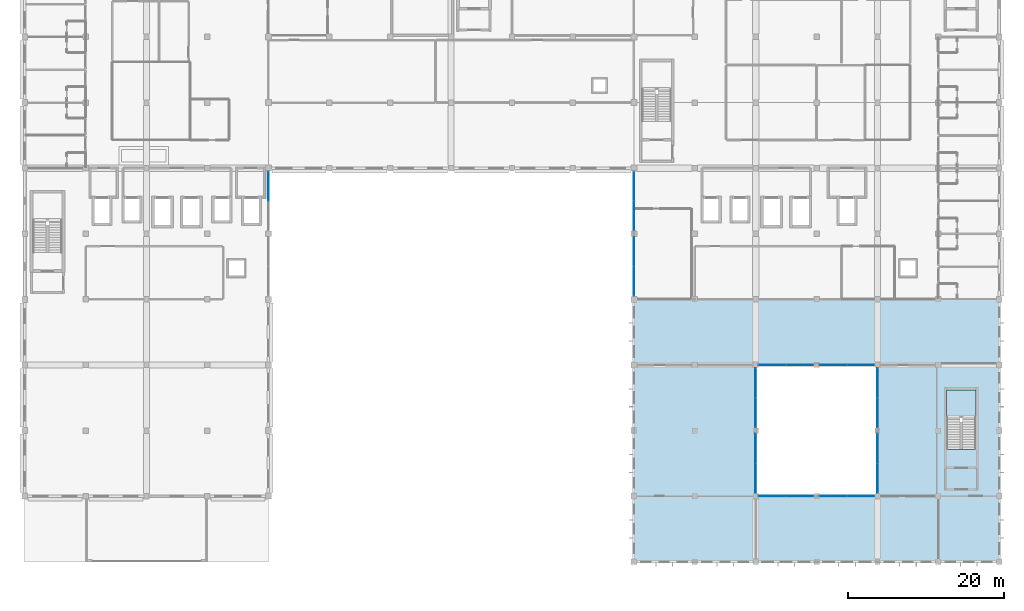
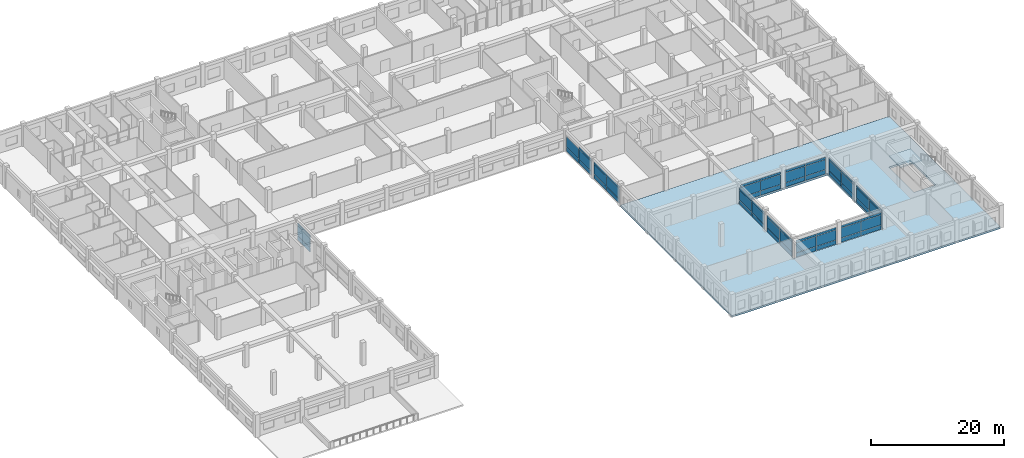
# One storey, part 25 of 53: 62 plates, 2 slabs, 12 elements without a shape of their own.
"""IFC4 building model written with IfcOpenShell, lengths in metres."""

from ifc_helpers import new_model, si_unit, direction, frame, origin, origin_2d, place, context, subcontext, project, spatial, polyline, rectangle, outline, extrude, material, layer, layer_set, type_object, element, aggregate, save


model = new_model("IFC4")

# Units and contexts
model_context = context("Model", 3, precision=1e-05, world=origin(), true_north=direction((0.0, 1.0)))
body_context = subcontext(model_context, "Body", "Model", "MODEL_VIEW")
ifc_project = project(units=[si_unit("LENGTHUNIT", "METRE"), si_unit("AREAUNIT", "SQUARE_METRE"), si_unit("VOLUMEUNIT", "CUBIC_METRE"), si_unit("PLANEANGLEUNIT", "RADIAN"), si_unit("MASSUNIT", "GRAM", prefix="KILO"), si_unit("THERMODYNAMICTEMPERATUREUNIT", "KELVIN"), si_unit("POWERUNIT", "WATT")], contexts=[model_context])

# Site, building, storey
site_placement = place(None, origin())
site = spatial("IfcSite", under=ifc_project, at=site_placement, CompositionType="ELEMENT")
building_placement = place(site_placement, origin())
building = spatial("IfcBuilding", under=site, at=building_placement, Name="Srebrne Nadtorze General Hospital", CompositionType="ELEMENT")
storey_placement = place(building_placement, frame((0.0, 0.0, 18.0)))
storey = spatial("IfcBuildingStorey", under=building, at=storey_placement, Name="L04", CompositionType="ELEMENT", Elevation=18.0)

# Curtain wall, plates
ifc_material_1 = material(Name="Anodised Aluminium", Category="aluminium")
curtain_wall_type_1 = type_object("IfcCurtainWallType", Name="Unitised curtain wall 7100x3235", PredefinedType="NOTDEFINED", material=ifc_material_1)
curtain_wall_1_placement = place(storey_placement, origin())
curtain_wall_1 = element("IfcCurtainWall", 1, at=curtain_wall_1_placement, inside=storey, type_object=curtain_wall_type_1, Name="Curtain wall CW-102", PredefinedType="NOTDEFINED")
ifc_material_2 = material(Name="Triple Low-E Glazing", Category="glass")
ifc_layer_1 = layer(ifc_material_2, 0.050048828125)
ifc_layer_set_1 = layer_set([ifc_layer_1], Name="Triple Low-E Glazing")
plate_type = type_object("IfcPlateType", Name="Glazed curtain panel 50", PredefinedType="CURTAIN_PANEL", material=ifc_layer_set_1)
plate_1_placement = place(storey_placement, frame((119.139892578125, 8.39990234375, 0.06005859375), z_axis=(0.0, 0.0, 1.0), x_axis=(1.0, 0.0, 0.0)))
plate_1 = element("IfcPlate", 2, at=plate_1_placement, type_object=plate_type, Name="CW-102 panel 1.1", PredefinedType="CURTAIN_PANEL", context=body_context, shape_type="SweptSolid", body=[
    extrude(rectangle(XDim=3.4599609375, YDim=0.050048828125, at=origin_2d()), origin(), (0.0, 0.0, 1.0), 0.760009765625),
])
plate_2_placement = place(storey_placement, frame((119.139892578125, 8.39990234375, 0.8798828125), z_axis=(0.0, 0.0, 1.0), x_axis=(1.0, 0.0, 0.0)))
plate_2 = element("IfcPlate", 3, at=plate_2_placement, type_object=plate_type, Name="CW-102 panel 1.2", PredefinedType="CURTAIN_PANEL", context=body_context, shape_type="SweptSolid", body=[
    extrude(rectangle(XDim=3.4599609375, YDim=0.050048828125, at=origin_2d()), origin(), (0.0, 0.0, 1.0), 1.824951171875),
])
plate_3_placement = place(storey_placement, frame((119.139892578125, 8.39990234375, 2.76513671875), z_axis=(0.0, 0.0, 1.0), x_axis=(1.0, 0.0, 0.0)))
plate_3 = element("IfcPlate", 4, at=plate_3_placement, type_object=plate_type, Name="CW-102 panel 1.3", PredefinedType="CURTAIN_PANEL", context=body_context, shape_type="SweptSolid", body=[
    extrude(rectangle(XDim=3.4599609375, YDim=0.050048828125, at=origin_2d()), origin(), (0.0, 0.0, 1.0), 0.409912109375),
])
plate_4_placement = place(storey_placement, frame((122.659912109375, 8.39990234375, 0.06005859375), z_axis=(0.0, 0.0, 1.0), x_axis=(1.0, 0.0, 0.0)))
plate_4 = element("IfcPlate", 5, at=plate_4_placement, type_object=plate_type, Name="CW-102 panel 2.1", PredefinedType="CURTAIN_PANEL", context=body_context, shape_type="SweptSolid", body=[
    extrude(rectangle(XDim=3.4599609375, YDim=0.050048828125, at=origin_2d()), origin(), (0.0, 0.0, 1.0), 0.760009765625),
])
plate_5_placement = place(storey_placement, frame((122.659912109375, 8.39990234375, 0.8798828125), z_axis=(0.0, 0.0, 1.0), x_axis=(1.0, 0.0, 0.0)))
plate_5 = element("IfcPlate", 6, at=plate_5_placement, type_object=plate_type, Name="CW-102 panel 2.2", PredefinedType="CURTAIN_PANEL", context=body_context, shape_type="SweptSolid", body=[
    extrude(rectangle(XDim=3.4599609375, YDim=0.050048828125, at=origin_2d()), origin(), (0.0, 0.0, 1.0), 1.824951171875),
])
plate_6_placement = place(storey_placement, frame((122.659912109375, 8.39990234375, 2.76513671875), z_axis=(0.0, 0.0, 1.0), x_axis=(1.0, 0.0, 0.0)))
plate_6 = element("IfcPlate", 7, at=plate_6_placement, type_object=plate_type, Name="CW-102 panel 2.3", PredefinedType="CURTAIN_PANEL", context=body_context, shape_type="SweptSolid", body=[
    extrude(rectangle(XDim=3.4599609375, YDim=0.050048828125, at=origin_2d()), origin(), (0.0, 0.0, 1.0), 0.409912109375),
])
aggregate(curtain_wall_1, [plate_1, plate_2, plate_3, plate_4, plate_5, plate_6])

curtain_wall_2_placement = place(storey_placement, origin())
curtain_wall_2 = element("IfcCurtainWall", 8, at=curtain_wall_2_placement, inside=storey, type_object=curtain_wall_type_1, Name="Curtain wall CW-103", PredefinedType="NOTDEFINED")
plate_7_placement = place(storey_placement, frame((126.941162109375, 8.39990234375, 0.06494140625), z_axis=(0.0, 0.0, 1.0), x_axis=(1.0, 0.0, 0.0)))
plate_7 = element("IfcPlate", 9, at=plate_7_placement, type_object=plate_type, Name="CW-103 panel 1.1", PredefinedType="CURTAIN_PANEL", context=body_context, shape_type="SweptSolid", body=[
    extrude(rectangle(XDim=3.452392578125, YDim=0.050048828125, at=origin_2d()), origin(), (0.0, 0.0, 1.0), 0.75244140625),
])
plate_8_placement = place(storey_placement, frame((126.941162109375, 8.39990234375, 0.88232421875), z_axis=(0.0, 0.0, 1.0), x_axis=(1.0, 0.0, 0.0)))
plate_8 = element("IfcPlate", 10, at=plate_8_placement, type_object=plate_type, Name="CW-103 panel 1.2", PredefinedType="CURTAIN_PANEL", context=body_context, shape_type="SweptSolid", body=[
    extrude(rectangle(XDim=3.452392578125, YDim=0.050048828125, at=origin_2d()), origin(), (0.0, 0.0, 1.0), 1.820068359375),
])
plate_9_placement = place(storey_placement, frame((126.941162109375, 8.39990234375, 2.767578125), z_axis=(0.0, 0.0, 1.0), x_axis=(1.0, 0.0, 0.0)))
plate_9 = element("IfcPlate", 11, at=plate_9_placement, type_object=plate_type, Name="CW-103 panel 1.3", PredefinedType="CURTAIN_PANEL", context=body_context, shape_type="SweptSolid", body=[
    extrude(rectangle(XDim=3.452392578125, YDim=0.050048828125, at=origin_2d()), origin(), (0.0, 0.0, 1.0), 0.402587890625),
])
plate_10_placement = place(storey_placement, frame((130.458740234375, 8.39990234375, 0.06494140625), z_axis=(0.0, 0.0, 1.0), x_axis=(1.0, 0.0, 0.0)))
plate_10 = element("IfcPlate", 12, at=plate_10_placement, type_object=plate_type, Name="CW-103 panel 2.1", PredefinedType="CURTAIN_PANEL", context=body_context, shape_type="SweptSolid", body=[
    extrude(rectangle(XDim=3.452392578125, YDim=0.050048828125, at=origin_2d()), origin(), (0.0, 0.0, 1.0), 0.75244140625),
])
plate_11_placement = place(storey_placement, frame((130.458740234375, 8.39990234375, 0.88232421875), z_axis=(0.0, 0.0, 1.0), x_axis=(1.0, 0.0, 0.0)))
plate_11 = element("IfcPlate", 13, at=plate_11_placement, type_object=plate_type, Name="CW-103 panel 2.2", PredefinedType="CURTAIN_PANEL", context=body_context, shape_type="SweptSolid", body=[
    extrude(rectangle(XDim=3.452392578125, YDim=0.050048828125, at=origin_2d()), origin(), (0.0, 0.0, 1.0), 1.820068359375),
])
plate_12_placement = place(storey_placement, frame((130.458740234375, 8.39990234375, 2.767578125), z_axis=(0.0, 0.0, 1.0), x_axis=(1.0, 0.0, 0.0)))
plate_12 = element("IfcPlate", 14, at=plate_12_placement, type_object=plate_type, Name="CW-103 panel 2.3", PredefinedType="CURTAIN_PANEL", context=body_context, shape_type="SweptSolid", body=[
    extrude(rectangle(XDim=3.452392578125, YDim=0.050048828125, at=origin_2d()), origin(), (0.0, 0.0, 1.0), 0.402587890625),
])
aggregate(curtain_wall_2, [plate_7, plate_8, plate_9, plate_10, plate_11, plate_12])

curtain_wall_3_placement = place(storey_placement, origin())
curtain_wall_3 = element("IfcCurtainWall", 15, at=curtain_wall_3_placement, inside=storey, type_object=curtain_wall_type_1, Name="Curtain wall CW-104", PredefinedType="NOTDEFINED")
plate_13_placement = place(storey_placement, frame((119.139892578125, 25.199951171875, 0.06005859375), z_axis=(0.0, 0.0, 1.0), x_axis=(1.0, 0.0, 0.0)))
plate_13 = element("IfcPlate", 16, at=plate_13_placement, type_object=plate_type, Name="CW-104 panel 1.1", PredefinedType="CURTAIN_PANEL", context=body_context, shape_type="SweptSolid", body=[
    extrude(rectangle(XDim=3.4599609375, YDim=0.050048828125, at=origin_2d()), origin(), (0.0, 0.0, 1.0), 0.760009765625),
])
plate_14_placement = place(storey_placement, frame((119.139892578125, 25.199951171875, 0.8798828125), z_axis=(0.0, 0.0, 1.0), x_axis=(1.0, 0.0, 0.0)))
plate_14 = element("IfcPlate", 17, at=plate_14_placement, type_object=plate_type, Name="CW-104 panel 1.2", PredefinedType="CURTAIN_PANEL", context=body_context, shape_type="SweptSolid", body=[
    extrude(rectangle(XDim=3.4599609375, YDim=0.050048828125, at=origin_2d()), origin(), (0.0, 0.0, 1.0), 1.824951171875),
])
plate_15_placement = place(storey_placement, frame((119.139892578125, 25.199951171875, 2.76513671875), z_axis=(0.0, 0.0, 1.0), x_axis=(1.0, 0.0, 0.0)))
plate_15 = element("IfcPlate", 18, at=plate_15_placement, type_object=plate_type, Name="CW-104 panel 1.3", PredefinedType="CURTAIN_PANEL", context=body_context, shape_type="SweptSolid", body=[
    extrude(rectangle(XDim=3.4599609375, YDim=0.050048828125, at=origin_2d()), origin(), (0.0, 0.0, 1.0), 0.409912109375),
])
plate_16_placement = place(storey_placement, frame((122.659912109375, 25.199951171875, 0.06005859375), z_axis=(0.0, 0.0, 1.0), x_axis=(1.0, 0.0, 0.0)))
plate_16 = element("IfcPlate", 19, at=plate_16_placement, type_object=plate_type, Name="CW-104 panel 2.1", PredefinedType="CURTAIN_PANEL", context=body_context, shape_type="SweptSolid", body=[
    extrude(rectangle(XDim=3.4599609375, YDim=0.050048828125, at=origin_2d()), origin(), (0.0, 0.0, 1.0), 0.760009765625),
])
plate_17_placement = place(storey_placement, frame((122.659912109375, 25.199951171875, 0.8798828125), z_axis=(0.0, 0.0, 1.0), x_axis=(1.0, 0.0, 0.0)))
plate_17 = element("IfcPlate", 20, at=plate_17_placement, type_object=plate_type, Name="CW-104 panel 2.2", PredefinedType="CURTAIN_PANEL", context=body_context, shape_type="SweptSolid", body=[
    extrude(rectangle(XDim=3.4599609375, YDim=0.050048828125, at=origin_2d()), origin(), (0.0, 0.0, 1.0), 1.824951171875),
])
plate_18_placement = place(storey_placement, frame((122.659912109375, 25.199951171875, 2.76513671875), z_axis=(0.0, 0.0, 1.0), x_axis=(1.0, 0.0, 0.0)))
plate_18 = element("IfcPlate", 21, at=plate_18_placement, type_object=plate_type, Name="CW-104 panel 2.3", PredefinedType="CURTAIN_PANEL", context=body_context, shape_type="SweptSolid", body=[
    extrude(rectangle(XDim=3.4599609375, YDim=0.050048828125, at=origin_2d()), origin(), (0.0, 0.0, 1.0), 0.409912109375),
])
aggregate(curtain_wall_3, [plate_13, plate_14, plate_15, plate_16, plate_17, plate_18])

curtain_wall_4_placement = place(storey_placement, origin())
curtain_wall_4 = element("IfcCurtainWall", 22, at=curtain_wall_4_placement, inside=storey, type_object=curtain_wall_type_1, Name="Curtain wall CW-105", PredefinedType="NOTDEFINED")
plate_19_placement = place(storey_placement, frame((126.941162109375, 25.199951171875, 0.06494140625), z_axis=(0.0, 0.0, 1.0), x_axis=(1.0, 0.0, 0.0)))
plate_19 = element("IfcPlate", 23, at=plate_19_placement, type_object=plate_type, Name="CW-105 panel 1.1", PredefinedType="CURTAIN_PANEL", context=body_context, shape_type="SweptSolid", body=[
    extrude(rectangle(XDim=3.452392578125, YDim=0.050048828125, at=origin_2d()), origin(), (0.0, 0.0, 1.0), 0.75244140625),
])
plate_20_placement = place(storey_placement, frame((126.941162109375, 25.199951171875, 0.88232421875), z_axis=(0.0, 0.0, 1.0), x_axis=(1.0, 0.0, 0.0)))
plate_20 = element("IfcPlate", 24, at=plate_20_placement, type_object=plate_type, Name="CW-105 panel 1.2", PredefinedType="CURTAIN_PANEL", context=body_context, shape_type="SweptSolid", body=[
    extrude(rectangle(XDim=3.452392578125, YDim=0.050048828125, at=origin_2d()), origin(), (0.0, 0.0, 1.0), 1.820068359375),
])
plate_21_placement = place(storey_placement, frame((126.941162109375, 25.199951171875, 2.767578125), z_axis=(0.0, 0.0, 1.0), x_axis=(1.0, 0.0, 0.0)))
plate_21 = element("IfcPlate", 25, at=plate_21_placement, type_object=plate_type, Name="CW-105 panel 1.3", PredefinedType="CURTAIN_PANEL", context=body_context, shape_type="SweptSolid", body=[
    extrude(rectangle(XDim=3.452392578125, YDim=0.050048828125, at=origin_2d()), origin(), (0.0, 0.0, 1.0), 0.402587890625),
])
plate_22_placement = place(storey_placement, frame((130.458740234375, 25.199951171875, 0.06494140625), z_axis=(0.0, 0.0, 1.0), x_axis=(1.0, 0.0, 0.0)))
plate_22 = element("IfcPlate", 26, at=plate_22_placement, type_object=plate_type, Name="CW-105 panel 2.1", PredefinedType="CURTAIN_PANEL", context=body_context, shape_type="SweptSolid", body=[
    extrude(rectangle(XDim=3.452392578125, YDim=0.050048828125, at=origin_2d()), origin(), (0.0, 0.0, 1.0), 0.75244140625),
])
plate_23_placement = place(storey_placement, frame((130.458740234375, 25.199951171875, 0.88232421875), z_axis=(0.0, 0.0, 1.0), x_axis=(1.0, 0.0, 0.0)))
plate_23 = element("IfcPlate", 27, at=plate_23_placement, type_object=plate_type, Name="CW-105 panel 2.2", PredefinedType="CURTAIN_PANEL", context=body_context, shape_type="SweptSolid", body=[
    extrude(rectangle(XDim=3.452392578125, YDim=0.050048828125, at=origin_2d()), origin(), (0.0, 0.0, 1.0), 1.820068359375),
])
plate_24_placement = place(storey_placement, frame((130.458740234375, 25.199951171875, 2.767578125), z_axis=(0.0, 0.0, 1.0), x_axis=(1.0, 0.0, 0.0)))
plate_24 = element("IfcPlate", 28, at=plate_24_placement, type_object=plate_type, Name="CW-105 panel 2.3", PredefinedType="CURTAIN_PANEL", context=body_context, shape_type="SweptSolid", body=[
    extrude(rectangle(XDim=3.452392578125, YDim=0.050048828125, at=origin_2d()), origin(), (0.0, 0.0, 1.0), 0.402587890625),
])
aggregate(curtain_wall_4, [plate_19, plate_20, plate_21, plate_22, plate_23, plate_24])

ifc_material_3 = material(Name="Anodised Aluminium", Category="aluminium")
curtain_wall_type_2 = type_object("IfcCurtainWallType", Name="Unitised curtain wall 7650x3235", PredefinedType="NOTDEFINED", material=ifc_material_3)
curtain_wall_5_placement = place(storey_placement, origin())
curtain_wall_5 = element("IfcCurtainWall", 29, at=curtain_wall_5_placement, inside=storey, type_object=curtain_wall_type_2, Name="Curtain wall CW-107", PredefinedType="NOTDEFINED")
plate_25_placement = place(storey_placement, frame((54.60009765625, 48.09619140625, 0.06494140625), z_axis=(0.0, 0.0, 1.0), x_axis=(0.0, 1.0, 0.0)))
plate_25 = element("IfcPlate", 30, at=plate_25_placement, type_object=plate_type, Name="CW-107 panel 2.1", PredefinedType="CURTAIN_PANEL", context=body_context, shape_type="SweptSolid", body=[
    extrude(rectangle(XDim=3.7275390625, YDim=0.050048828125, at=origin_2d()), origin(), (0.0, 0.0, 1.0), 0.75244140625),
])
plate_26_placement = place(storey_placement, frame((54.60009765625, 48.09619140625, 0.88232421875), z_axis=(0.0, 0.0, 1.0), x_axis=(0.0, 1.0, 0.0)))
plate_26 = element("IfcPlate", 31, at=plate_26_placement, type_object=plate_type, Name="CW-107 panel 2.2", PredefinedType="CURTAIN_PANEL", context=body_context, shape_type="SweptSolid", body=[
    extrude(rectangle(XDim=3.7275390625, YDim=0.050048828125, at=origin_2d()), origin(), (0.0, 0.0, 1.0), 1.820068359375),
])
plate_27_placement = place(storey_placement, frame((54.60009765625, 48.09619140625, 2.767578125), z_axis=(0.0, 0.0, 1.0), x_axis=(0.0, 1.0, 0.0)))
plate_27 = element("IfcPlate", 32, at=plate_27_placement, type_object=plate_type, Name="CW-107 panel 2.3", PredefinedType="CURTAIN_PANEL", context=body_context, shape_type="SweptSolid", body=[
    extrude(rectangle(XDim=3.7275390625, YDim=0.050048828125, at=origin_2d()), origin(), (0.0, 0.0, 1.0), 0.402587890625),
])
aggregate(curtain_wall_5, [plate_25, plate_26, plate_27])

curtain_wall_6_placement = place(storey_placement, origin())
curtain_wall_6 = element("IfcCurtainWall", 33, at=curtain_wall_6_placement, inside=storey, type_object=curtain_wall_type_2, Name="Curtain wall CW-108", PredefinedType="NOTDEFINED")
plate_28_placement = place(storey_placement, frame((101.39990234375, 35.902587890625, 0.06005859375), z_axis=(0.0, 0.0, 1.0), x_axis=(0.0, 1.0, 0.0)))
plate_28 = element("IfcPlate", 34, at=plate_28_placement, type_object=plate_type, Name="CW-108 panel 1.1", PredefinedType="CURTAIN_PANEL", context=body_context, shape_type="SweptSolid", body=[
    extrude(rectangle(XDim=3.735107421875, YDim=0.050048828125, at=origin_2d()), origin(), (0.0, 0.0, 1.0), 0.760009765625),
])
plate_29_placement = place(storey_placement, frame((101.39990234375, 35.902587890625, 0.8798828125), z_axis=(0.0, 0.0, 1.0), x_axis=(0.0, 1.0, 0.0)))
plate_29 = element("IfcPlate", 35, at=plate_29_placement, type_object=plate_type, Name="CW-108 panel 1.2", PredefinedType="CURTAIN_PANEL", context=body_context, shape_type="SweptSolid", body=[
    extrude(rectangle(XDim=3.735107421875, YDim=0.050048828125, at=origin_2d()), origin(), (0.0, 0.0, 1.0), 1.824951171875),
])
plate_30_placement = place(storey_placement, frame((101.39990234375, 35.902587890625, 2.76513671875), z_axis=(0.0, 0.0, 1.0), x_axis=(0.0, 1.0, 0.0)))
plate_30 = element("IfcPlate", 36, at=plate_30_placement, type_object=plate_type, Name="CW-108 panel 1.3", PredefinedType="CURTAIN_PANEL", context=body_context, shape_type="SweptSolid", body=[
    extrude(rectangle(XDim=3.735107421875, YDim=0.050048828125, at=origin_2d()), origin(), (0.0, 0.0, 1.0), 0.409912109375),
])
plate_31_placement = place(storey_placement, frame((101.39990234375, 39.697509765625, 0.06005859375), z_axis=(0.0, 0.0, 1.0), x_axis=(0.0, 1.0, 0.0)))
plate_31 = element("IfcPlate", 37, at=plate_31_placement, type_object=plate_type, Name="CW-108 panel 2.1", PredefinedType="CURTAIN_PANEL", context=body_context, shape_type="SweptSolid", body=[
    extrude(rectangle(XDim=3.735107421875, YDim=0.050048828125, at=origin_2d()), origin(), (0.0, 0.0, 1.0), 0.760009765625),
])
plate_32_placement = place(storey_placement, frame((101.39990234375, 39.697509765625, 0.8798828125), z_axis=(0.0, 0.0, 1.0), x_axis=(0.0, 1.0, 0.0)))
plate_32 = element("IfcPlate", 38, at=plate_32_placement, type_object=plate_type, Name="CW-108 panel 2.2", PredefinedType="CURTAIN_PANEL", context=body_context, shape_type="SweptSolid", body=[
    extrude(rectangle(XDim=3.735107421875, YDim=0.050048828125, at=origin_2d()), origin(), (0.0, 0.0, 1.0), 1.824951171875),
])
plate_33_placement = place(storey_placement, frame((101.39990234375, 39.697509765625, 2.76513671875), z_axis=(0.0, 0.0, 1.0), x_axis=(0.0, 1.0, 0.0)))
plate_33 = element("IfcPlate", 39, at=plate_33_placement, type_object=plate_type, Name="CW-108 panel 2.3", PredefinedType="CURTAIN_PANEL", context=body_context, shape_type="SweptSolid", body=[
    extrude(rectangle(XDim=3.735107421875, YDim=0.050048828125, at=origin_2d()), origin(), (0.0, 0.0, 1.0), 0.409912109375),
])
aggregate(curtain_wall_6, [plate_28, plate_29, plate_30, plate_31, plate_32, plate_33])

curtain_wall_7_placement = place(storey_placement, origin())
curtain_wall_7 = element("IfcCurtainWall", 40, at=curtain_wall_7_placement, inside=storey, type_object=curtain_wall_type_2, Name="Curtain wall CW-109", PredefinedType="NOTDEFINED")
plate_34_placement = place(storey_placement, frame((101.39990234375, 44.3037109375, 0.06494140625), z_axis=(0.0, 0.0, 1.0), x_axis=(0.0, 1.0, 0.0)))
plate_34 = element("IfcPlate", 41, at=plate_34_placement, type_object=plate_type, Name="CW-109 panel 1.1", PredefinedType="CURTAIN_PANEL", context=body_context, shape_type="SweptSolid", body=[
    extrude(rectangle(XDim=3.7275390625, YDim=0.050048828125, at=origin_2d()), origin(), (0.0, 0.0, 1.0), 0.75244140625),
])
plate_35_placement = place(storey_placement, frame((101.39990234375, 44.3037109375, 0.88232421875), z_axis=(0.0, 0.0, 1.0), x_axis=(0.0, 1.0, 0.0)))
plate_35 = element("IfcPlate", 42, at=plate_35_placement, type_object=plate_type, Name="CW-109 panel 1.2", PredefinedType="CURTAIN_PANEL", context=body_context, shape_type="SweptSolid", body=[
    extrude(rectangle(XDim=3.7275390625, YDim=0.050048828125, at=origin_2d()), origin(), (0.0, 0.0, 1.0), 1.820068359375),
])
plate_36_placement = place(storey_placement, frame((101.39990234375, 44.3037109375, 2.767578125), z_axis=(0.0, 0.0, 1.0), x_axis=(0.0, 1.0, 0.0)))
plate_36 = element("IfcPlate", 43, at=plate_36_placement, type_object=plate_type, Name="CW-109 panel 1.3", PredefinedType="CURTAIN_PANEL", context=body_context, shape_type="SweptSolid", body=[
    extrude(rectangle(XDim=3.7275390625, YDim=0.050048828125, at=origin_2d()), origin(), (0.0, 0.0, 1.0), 0.402587890625),
])
plate_37_placement = place(storey_placement, frame((101.39990234375, 48.09619140625, 0.06494140625), z_axis=(0.0, 0.0, 1.0), x_axis=(0.0, 1.0, 0.0)))
plate_37 = element("IfcPlate", 44, at=plate_37_placement, type_object=plate_type, Name="CW-109 panel 2.1", PredefinedType="CURTAIN_PANEL", context=body_context, shape_type="SweptSolid", body=[
    extrude(rectangle(XDim=3.7275390625, YDim=0.050048828125, at=origin_2d()), origin(), (0.0, 0.0, 1.0), 0.75244140625),
])
plate_38_placement = place(storey_placement, frame((101.39990234375, 48.09619140625, 0.88232421875), z_axis=(0.0, 0.0, 1.0), x_axis=(0.0, 1.0, 0.0)))
plate_38 = element("IfcPlate", 45, at=plate_38_placement, type_object=plate_type, Name="CW-109 panel 2.2", PredefinedType="CURTAIN_PANEL", context=body_context, shape_type="SweptSolid", body=[
    extrude(rectangle(XDim=3.7275390625, YDim=0.050048828125, at=origin_2d()), origin(), (0.0, 0.0, 1.0), 1.820068359375),
])
aggregate(curtain_wall_7, [plate_34, plate_35, plate_36, plate_37, plate_38])

ifc_material_4 = material(Name="Anodised Aluminium", Category="aluminium")
curtain_wall_type_3 = type_object("IfcCurtainWallType", Name="Unitised curtain wall 7700x3235", PredefinedType="NOTDEFINED", material=ifc_material_4)
curtain_wall_8_placement = place(storey_placement, origin())
curtain_wall_8 = element("IfcCurtainWall", 46, at=curtain_wall_8_placement, inside=storey, type_object=curtain_wall_type_3, Name="Curtain wall CW-110", PredefinedType="NOTDEFINED")
plate_39_placement = place(storey_placement, frame((117.0, 10.68994140625, 0.06005859375), z_axis=(0.0, 0.0, 1.0), x_axis=(0.0, 1.0, 0.0)))
plate_39 = element("IfcPlate", 47, at=plate_39_placement, type_object=plate_type, Name="CW-110 panel 1.1", PredefinedType="CURTAIN_PANEL", context=body_context, shape_type="SweptSolid", body=[
    extrude(rectangle(XDim=3.760009765625, YDim=0.050048828125, at=origin_2d()), origin(), (0.0, 0.0, 1.0), 0.760009765625),
])
plate_40_placement = place(storey_placement, frame((117.0, 10.68994140625, 0.8798828125), z_axis=(0.0, 0.0, 1.0), x_axis=(0.0, 1.0, 0.0)))
plate_40 = element("IfcPlate", 48, at=plate_40_placement, type_object=plate_type, Name="CW-110 panel 1.2", PredefinedType="CURTAIN_PANEL", context=body_context, shape_type="SweptSolid", body=[
    extrude(rectangle(XDim=3.760009765625, YDim=0.050048828125, at=origin_2d()), origin(), (0.0, 0.0, 1.0), 1.824951171875),
])
plate_41_placement = place(storey_placement, frame((117.0, 10.68994140625, 2.76513671875), z_axis=(0.0, 0.0, 1.0), x_axis=(0.0, 1.0, 0.0)))
plate_41 = element("IfcPlate", 49, at=plate_41_placement, type_object=plate_type, Name="CW-110 panel 1.3", PredefinedType="CURTAIN_PANEL", context=body_context, shape_type="SweptSolid", body=[
    extrude(rectangle(XDim=3.760009765625, YDim=0.050048828125, at=origin_2d()), origin(), (0.0, 0.0, 1.0), 0.409912109375),
])
plate_42_placement = place(storey_placement, frame((117.0, 14.510009765625, 0.06005859375), z_axis=(0.0, 0.0, 1.0), x_axis=(0.0, 1.0, 0.0)))
plate_42 = element("IfcPlate", 50, at=plate_42_placement, type_object=plate_type, Name="CW-110 panel 2.1", PredefinedType="CURTAIN_PANEL", context=body_context, shape_type="SweptSolid", body=[
    extrude(rectangle(XDim=3.760009765625, YDim=0.050048828125, at=origin_2d()), origin(), (0.0, 0.0, 1.0), 0.760009765625),
])
plate_43_placement = place(storey_placement, frame((117.0, 14.510009765625, 0.8798828125), z_axis=(0.0, 0.0, 1.0), x_axis=(0.0, 1.0, 0.0)))
plate_43 = element("IfcPlate", 51, at=plate_43_placement, type_object=plate_type, Name="CW-110 panel 2.2", PredefinedType="CURTAIN_PANEL", context=body_context, shape_type="SweptSolid", body=[
    extrude(rectangle(XDim=3.760009765625, YDim=0.050048828125, at=origin_2d()), origin(), (0.0, 0.0, 1.0), 1.824951171875),
])
plate_44_placement = place(storey_placement, frame((117.0, 14.510009765625, 2.76513671875), z_axis=(0.0, 0.0, 1.0), x_axis=(0.0, 1.0, 0.0)))
plate_44 = element("IfcPlate", 52, at=plate_44_placement, type_object=plate_type, Name="CW-110 panel 2.3", PredefinedType="CURTAIN_PANEL", context=body_context, shape_type="SweptSolid", body=[
    extrude(rectangle(XDim=3.760009765625, YDim=0.050048828125, at=origin_2d()), origin(), (0.0, 0.0, 1.0), 0.409912109375),
])
aggregate(curtain_wall_8, [plate_39, plate_40, plate_41, plate_42, plate_43, plate_44])

curtain_wall_9_placement = place(storey_placement, origin())
curtain_wall_9 = element("IfcCurtainWall", 53, at=curtain_wall_9_placement, inside=storey, type_object=curtain_wall_type_3, Name="Curtain wall CW-111", PredefinedType="NOTDEFINED")
plate_45_placement = place(storey_placement, frame((117.0, 19.09130859375, 0.06494140625), z_axis=(0.0, 0.0, 1.0), x_axis=(0.0, 1.0, 0.0)))
plate_45 = element("IfcPlate", 54, at=plate_45_placement, type_object=plate_type, Name="CW-111 panel 1.1", PredefinedType="CURTAIN_PANEL", context=body_context, shape_type="SweptSolid", body=[
    extrude(rectangle(XDim=3.75244140625, YDim=0.050048828125, at=origin_2d()), origin(), (0.0, 0.0, 1.0), 0.75244140625),
])
plate_46_placement = place(storey_placement, frame((117.0, 19.09130859375, 0.88232421875), z_axis=(0.0, 0.0, 1.0), x_axis=(0.0, 1.0, 0.0)))
plate_46 = element("IfcPlate", 55, at=plate_46_placement, type_object=plate_type, Name="CW-111 panel 1.2", PredefinedType="CURTAIN_PANEL", context=body_context, shape_type="SweptSolid", body=[
    extrude(rectangle(XDim=3.75244140625, YDim=0.050048828125, at=origin_2d()), origin(), (0.0, 0.0, 1.0), 1.820068359375),
])
plate_47_placement = place(storey_placement, frame((117.0, 19.09130859375, 2.767578125), z_axis=(0.0, 0.0, 1.0), x_axis=(0.0, 1.0, 0.0)))
plate_47 = element("IfcPlate", 56, at=plate_47_placement, type_object=plate_type, Name="CW-111 panel 1.3", PredefinedType="CURTAIN_PANEL", context=body_context, shape_type="SweptSolid", body=[
    extrude(rectangle(XDim=3.75244140625, YDim=0.050048828125, at=origin_2d()), origin(), (0.0, 0.0, 1.0), 0.402587890625),
])
plate_48_placement = place(storey_placement, frame((117.0, 22.90869140625, 0.06494140625), z_axis=(0.0, 0.0, 1.0), x_axis=(0.0, 1.0, 0.0)))
plate_48 = element("IfcPlate", 57, at=plate_48_placement, type_object=plate_type, Name="CW-111 panel 2.1", PredefinedType="CURTAIN_PANEL", context=body_context, shape_type="SweptSolid", body=[
    extrude(rectangle(XDim=3.75244140625, YDim=0.050048828125, at=origin_2d()), origin(), (0.0, 0.0, 1.0), 0.75244140625),
])
plate_49_placement = place(storey_placement, frame((117.0, 22.90869140625, 0.88232421875), z_axis=(0.0, 0.0, 1.0), x_axis=(0.0, 1.0, 0.0)))
plate_49 = element("IfcPlate", 58, at=plate_49_placement, type_object=plate_type, Name="CW-111 panel 2.2", PredefinedType="CURTAIN_PANEL", context=body_context, shape_type="SweptSolid", body=[
    extrude(rectangle(XDim=3.75244140625, YDim=0.050048828125, at=origin_2d()), origin(), (0.0, 0.0, 1.0), 1.820068359375),
])
plate_50_placement = place(storey_placement, frame((117.0, 22.90869140625, 2.767578125), z_axis=(0.0, 0.0, 1.0), x_axis=(0.0, 1.0, 0.0)))
plate_50 = element("IfcPlate", 59, at=plate_50_placement, type_object=plate_type, Name="CW-111 panel 2.3", PredefinedType="CURTAIN_PANEL", context=body_context, shape_type="SweptSolid", body=[
    extrude(rectangle(XDim=3.75244140625, YDim=0.050048828125, at=origin_2d()), origin(), (0.0, 0.0, 1.0), 0.402587890625),
])
aggregate(curtain_wall_9, [plate_45, plate_46, plate_47, plate_48, plate_49, plate_50])

curtain_wall_10_placement = place(storey_placement, origin())
curtain_wall_10 = element("IfcCurtainWall", 60, at=curtain_wall_10_placement, inside=storey, type_object=curtain_wall_type_3, Name="Curtain wall CW-112", PredefinedType="NOTDEFINED")
plate_51_placement = place(storey_placement, frame((132.60009765625, 10.68994140625, 0.06005859375), z_axis=(0.0, 0.0, 1.0), x_axis=(0.0, 1.0, 0.0)))
plate_51 = element("IfcPlate", 61, at=plate_51_placement, type_object=plate_type, Name="CW-112 panel 1.1", PredefinedType="CURTAIN_PANEL", context=body_context, shape_type="SweptSolid", body=[
    extrude(rectangle(XDim=3.760009765625, YDim=0.050048828125, at=origin_2d()), origin(), (0.0, 0.0, 1.0), 0.760009765625),
])
plate_52_placement = place(storey_placement, frame((132.60009765625, 10.68994140625, 0.8798828125), z_axis=(0.0, 0.0, 1.0), x_axis=(0.0, 1.0, 0.0)))
plate_52 = element("IfcPlate", 62, at=plate_52_placement, type_object=plate_type, Name="CW-112 panel 1.2", PredefinedType="CURTAIN_PANEL", context=body_context, shape_type="SweptSolid", body=[
    extrude(rectangle(XDim=3.760009765625, YDim=0.050048828125, at=origin_2d()), origin(), (0.0, 0.0, 1.0), 1.824951171875),
])
plate_53_placement = place(storey_placement, frame((132.60009765625, 10.68994140625, 2.76513671875), z_axis=(0.0, 0.0, 1.0), x_axis=(0.0, 1.0, 0.0)))
plate_53 = element("IfcPlate", 63, at=plate_53_placement, type_object=plate_type, Name="CW-112 panel 1.3", PredefinedType="CURTAIN_PANEL", context=body_context, shape_type="SweptSolid", body=[
    extrude(rectangle(XDim=3.760009765625, YDim=0.050048828125, at=origin_2d()), origin(), (0.0, 0.0, 1.0), 0.409912109375),
])
plate_54_placement = place(storey_placement, frame((132.60009765625, 14.510009765625, 0.06005859375), z_axis=(0.0, 0.0, 1.0), x_axis=(0.0, 1.0, 0.0)))
plate_54 = element("IfcPlate", 64, at=plate_54_placement, type_object=plate_type, Name="CW-112 panel 2.1", PredefinedType="CURTAIN_PANEL", context=body_context, shape_type="SweptSolid", body=[
    extrude(rectangle(XDim=3.760009765625, YDim=0.050048828125, at=origin_2d()), origin(), (0.0, 0.0, 1.0), 0.760009765625),
])
plate_55_placement = place(storey_placement, frame((132.60009765625, 14.510009765625, 0.8798828125), z_axis=(0.0, 0.0, 1.0), x_axis=(0.0, 1.0, 0.0)))
plate_55 = element("IfcPlate", 65, at=plate_55_placement, type_object=plate_type, Name="CW-112 panel 2.2", PredefinedType="CURTAIN_PANEL", context=body_context, shape_type="SweptSolid", body=[
    extrude(rectangle(XDim=3.760009765625, YDim=0.050048828125, at=origin_2d()), origin(), (0.0, 0.0, 1.0), 1.824951171875),
])
plate_56_placement = place(storey_placement, frame((132.60009765625, 14.510009765625, 2.76513671875), z_axis=(0.0, 0.0, 1.0), x_axis=(0.0, 1.0, 0.0)))
plate_56 = element("IfcPlate", 66, at=plate_56_placement, type_object=plate_type, Name="CW-112 panel 2.3", PredefinedType="CURTAIN_PANEL", context=body_context, shape_type="SweptSolid", body=[
    extrude(rectangle(XDim=3.760009765625, YDim=0.050048828125, at=origin_2d()), origin(), (0.0, 0.0, 1.0), 0.409912109375),
])
aggregate(curtain_wall_10, [plate_51, plate_52, plate_53, plate_54, plate_55, plate_56])

curtain_wall_11_placement = place(storey_placement, origin())
curtain_wall_11 = element("IfcCurtainWall", 67, at=curtain_wall_11_placement, inside=storey, type_object=curtain_wall_type_3, Name="Curtain wall CW-113", PredefinedType="NOTDEFINED")
plate_57_placement = place(storey_placement, frame((132.60009765625, 19.09130859375, 0.06494140625), z_axis=(0.0, 0.0, 1.0), x_axis=(0.0, 1.0, 0.0)))
plate_57 = element("IfcPlate", 68, at=plate_57_placement, type_object=plate_type, Name="CW-113 panel 1.1", PredefinedType="CURTAIN_PANEL", context=body_context, shape_type="SweptSolid", body=[
    extrude(rectangle(XDim=3.75244140625, YDim=0.050048828125, at=origin_2d()), origin(), (0.0, 0.0, 1.0), 0.75244140625),
])
plate_58_placement = place(storey_placement, frame((132.60009765625, 19.09130859375, 0.88232421875), z_axis=(0.0, 0.0, 1.0), x_axis=(0.0, 1.0, 0.0)))
plate_58 = element("IfcPlate", 69, at=plate_58_placement, type_object=plate_type, Name="CW-113 panel 1.2", PredefinedType="CURTAIN_PANEL", context=body_context, shape_type="SweptSolid", body=[
    extrude(rectangle(XDim=3.75244140625, YDim=0.050048828125, at=origin_2d()), origin(), (0.0, 0.0, 1.0), 1.820068359375),
])
plate_59_placement = place(storey_placement, frame((132.60009765625, 19.09130859375, 2.767578125), z_axis=(0.0, 0.0, 1.0), x_axis=(0.0, 1.0, 0.0)))
plate_59 = element("IfcPlate", 70, at=plate_59_placement, type_object=plate_type, Name="CW-113 panel 1.3", PredefinedType="CURTAIN_PANEL", context=body_context, shape_type="SweptSolid", body=[
    extrude(rectangle(XDim=3.75244140625, YDim=0.050048828125, at=origin_2d()), origin(), (0.0, 0.0, 1.0), 0.402587890625),
])
plate_60_placement = place(storey_placement, frame((132.60009765625, 22.90869140625, 0.06494140625), z_axis=(0.0, 0.0, 1.0), x_axis=(0.0, 1.0, 0.0)))
plate_60 = element("IfcPlate", 71, at=plate_60_placement, type_object=plate_type, Name="CW-113 panel 2.1", PredefinedType="CURTAIN_PANEL", context=body_context, shape_type="SweptSolid", body=[
    extrude(rectangle(XDim=3.75244140625, YDim=0.050048828125, at=origin_2d()), origin(), (0.0, 0.0, 1.0), 0.75244140625),
])
plate_61_placement = place(storey_placement, frame((132.60009765625, 22.90869140625, 0.88232421875), z_axis=(0.0, 0.0, 1.0), x_axis=(0.0, 1.0, 0.0)))
plate_61 = element("IfcPlate", 72, at=plate_61_placement, type_object=plate_type, Name="CW-113 panel 2.2", PredefinedType="CURTAIN_PANEL", context=body_context, shape_type="SweptSolid", body=[
    extrude(rectangle(XDim=3.75244140625, YDim=0.050048828125, at=origin_2d()), origin(), (0.0, 0.0, 1.0), 1.820068359375),
])
plate_62_placement = place(storey_placement, frame((132.60009765625, 22.90869140625, 2.767578125), z_axis=(0.0, 0.0, 1.0), x_axis=(0.0, 1.0, 0.0)))
plate_62 = element("IfcPlate", 73, at=plate_62_placement, type_object=plate_type, Name="CW-113 panel 2.3", PredefinedType="CURTAIN_PANEL", context=body_context, shape_type="SweptSolid", body=[
    extrude(rectangle(XDim=3.75244140625, YDim=0.050048828125, at=origin_2d()), origin(), (0.0, 0.0, 1.0), 0.402587890625),
])
aggregate(curtain_wall_11, [plate_57, plate_58, plate_59, plate_60, plate_61, plate_62])

# Stair, slab
ifc_material_5 = material(Name="Concrete C35/45", Category="concrete")
stair_type = type_object("IfcStairType", Name="Dog-leg escape stair 420", PredefinedType="HALF_TURN_STAIR", material=ifc_material_5)
stair_placement = place(storey_placement, origin())
stair = element("IfcStair", 74, at=stair_placement, inside=storey, type_object=stair_type, Name="Escape stair ST-08-L04", PredefinedType="HALF_TURN_STAIR")
ifc_material_6 = material(Name="Concrete C35/45", Category="concrete")
ifc_layer_2 = layer(ifc_material_6, 0.219970703125)
ifc_layer_set_2 = layer_set([ifc_layer_2], Name="Concrete C35/45")
slab_type_1 = type_object("IfcSlabType", Name="Stair landing slab 220", PredefinedType="LANDING", material=ifc_layer_set_2)
slab_1_placement = place(storey_placement, frame((0.0, 0.0, 1.8798828125)))
slab_1 = element("IfcSlab", 75, at=slab_1_placement, type_object=slab_type_1, Name="ST-08 landing 1", PredefinedType="LANDING", context=body_context, shape_type="SweptSolid", body=[
    extrude(outline(polyline([(141.449951171875, 18.56005859375), (145.199951171875, 18.56005859375), (145.199951171875, 22.0), (141.449951171875, 22.0), (141.449951171875, 18.56005859375)])), origin(), (0.0, 0.0, 1.0), 0.22021484375),
])
aggregate(stair, [slab_1])

# Slab
ifc_material_7 = material(Name="Concrete C35/45", Category="concrete")
ifc_layer_3 = layer(ifc_material_7, 0.330078125)
ifc_layer_set_3 = layer_set([ifc_layer_3], Name="Concrete C35/45")
slab_type_2 = type_object("IfcSlabType", Name="Suspended floor slab 330", PredefinedType="FLOOR", material=ifc_layer_set_3)
slab_2_placement = place(storey_placement, frame((0.0, 0.0, -0.330078125)))
element("IfcSlab", 76, at=slab_2_placement, inside=storey, type_object=slab_type_2, Name="Suspended floor slab SL-L04-CLI", PredefinedType="FLOOR", context=body_context, shape_type="SweptSolid", body=[
    extrude(outline(polyline([(148.199951171875, 0.0), (148.199951171875, 33.60009765625), (101.39990234375, 33.60009765625), (101.39990234375, 0.0), (148.199951171875, 0.0)]), holes=[polyline([(132.60009765625, 8.39990234375), (117.0, 8.39990234375), (117.0, 25.199951171875), (132.60009765625, 25.199951171875), (132.60009765625, 8.39990234375)]), polyline([(145.199951171875, 14.405029296875), (141.449951171875, 14.405029296875), (141.449951171875, 22.0), (145.199951171875, 22.0), (145.199951171875, 14.405029296875)])]), origin(), (0.0, 0.0, 1.0), 0.330078125),
])

save(model, "model.ifc")
